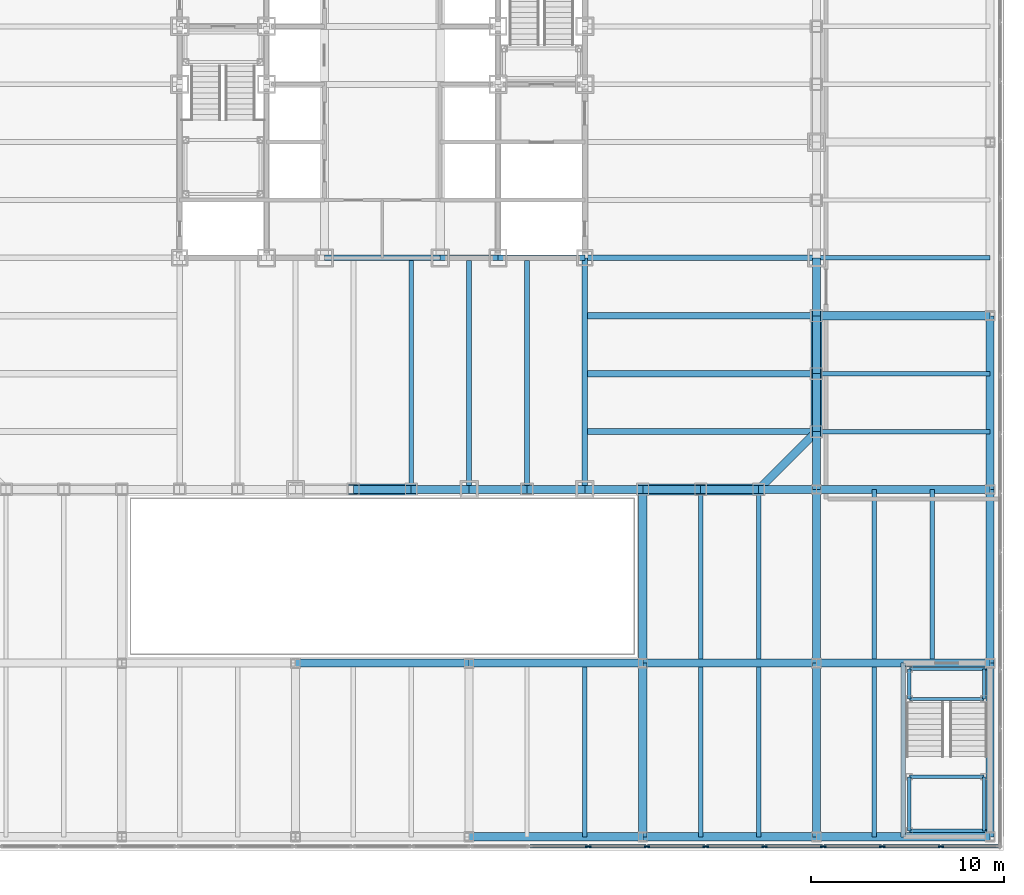
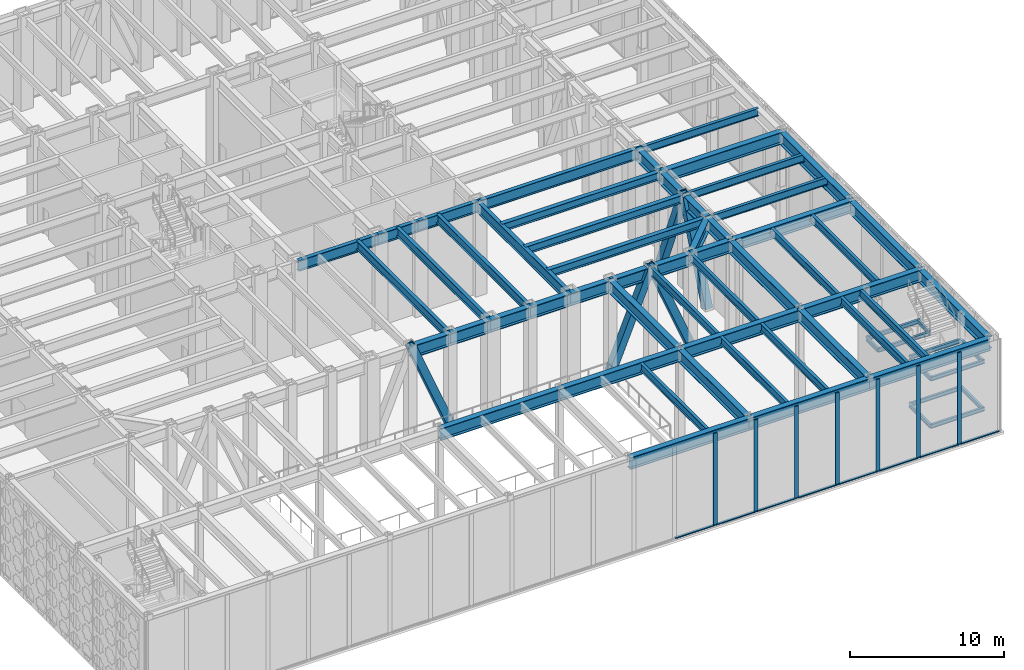
# One storey, part 5 of 34: 64 beams, 20 members, 1 element without a shape of its own.
"""IFC4 building model written with IfcOpenShell, lengths in metres."""

import ifcopenshell
import ifcopenshell.guid

model = None  # the IFC model being written
_history = None  # IfcOwnerHistory: only IFC2X3 demands one
_inside = {}  # id of a spatial element -> (the spatial element, [elements in it])
_under = {}  # id of a project, library or spatial element -> (it, [spatial elements below it])
_declared = {}  # id of a project -> (the project, [libraries it declares])
_typed = {}  # id of a type object -> (the type object, [elements of that type])
_made_of = {}  # id of a material, layer set ... -> (it, [elements and type objects made of it])


def new_model(schema):
    """Start an empty IFC model of exactly this schema.

    Asked for "IFC4X3", IfcOpenShell would pick the latest addendum, in which some entities
    have other attributes; the version numbers below select the first issue.
    IFC2X3 requires an IfcOwnerHistory on every rooted entity: one is made here for all.
    """
    global model, _history
    if schema == "IFC4X3":
        model = ifcopenshell.file(schema_version=(4, 3, 0, 0))
    else:
        model = ifcopenshell.file(schema=schema)
    _inside.clear()
    _under.clear()
    _declared.clear()
    _typed.clear()
    _made_of.clear()
    _history = None
    if model.schema == "IFC2X3":
        org = make("IfcOrganization", Name="unknown")
        user = make(
            "IfcPersonAndOrganization",
            ThePerson=make("IfcPerson", FamilyName="unknown"),
            TheOrganization=org,
        )
        app = make(
            "IfcApplication",
            ApplicationDeveloper=org,
            Version="unknown",
            ApplicationFullName="unknown",
            ApplicationIdentifier="unknown",
        )
        _history = make(
            "IfcOwnerHistory",
            OwningUser=user,
            OwningApplication=app,
            ChangeAction="ADDED",
            CreationDate=0,
        )
    return model


def make(cls, **values):
    """One entity of the class cls with the attributes given. An attribute that is None is left unset."""
    return model.create_entity(
        cls, **{name: value for name, value in values.items() if value is not None}
    )


def rooted(cls, **values):
    """An entity with a GlobalId (a new one), such as an element, a storey or a relation."""
    return make(cls, GlobalId=ifcopenshell.guid.new(), OwnerHistory=_history, **values)


def si_unit(unit_type, name, prefix=None):
    """IfcSIUnit, for example si_unit("LENGTHUNIT", "METRE", prefix="MILLI")."""
    return make("IfcSIUnit", UnitType=unit_type, Prefix=prefix, Name=name)


def assignment(units):
    """IfcUnitAssignment: the units of a project."""
    return None if units is None else make("IfcUnitAssignment", Units=units)


def point(xyz):
    """IfcCartesianPoint."""
    return None if xyz is None else make("IfcCartesianPoint", Coordinates=xyz)


def direction(xyz):
    """IfcDirection."""
    return None if xyz is None else make("IfcDirection", DirectionRatios=xyz)


def frame(location, z_axis=None, x_axis=None):
    """IfcAxis2Placement3D, a coordinate frame: its origin and axes. An axis left out is left unset."""
    return make(
        "IfcAxis2Placement3D",
        Location=point(location),
        Axis=direction(z_axis),
        RefDirection=direction(x_axis),
    )


def frame_2d(location, x_axis=None):
    """IfcAxis2Placement2D, a coordinate frame in the plane: its origin and x axis."""
    return make(
        "IfcAxis2Placement2D", Location=point(location), RefDirection=direction(x_axis)
    )


def origin():
    """The frame at (0, 0, 0) with its axes left unset."""
    return frame((0.0, 0.0, 0.0))


def origin_2d():
    """The frame at (0, 0) in the plane with its x axis left unset."""
    return frame_2d((0.0, 0.0))


def place(relative_to, where):
    """IfcLocalPlacement: puts the frame where relative to a parent placement (None: the world)."""
    return make(
        "IfcLocalPlacement", PlacementRelTo=relative_to, RelativePlacement=where
    )


def context(
    kind, dimensions, precision=None, world=None, true_north=None, identifier=None
):
    """IfcGeometricRepresentationContext, for example the 3D "Model" context."""
    return make(
        "IfcGeometricRepresentationContext",
        ContextIdentifier=identifier,
        ContextType=kind,
        CoordinateSpaceDimension=dimensions,
        Precision=precision,
        WorldCoordinateSystem=world,
        TrueNorth=true_north,
    )


def subcontext(parent, identifier, kind, view, scale=None):
    """IfcGeometricRepresentationSubContext, for example "Body" below "Model"."""
    return make(
        "IfcGeometricRepresentationSubContext",
        ContextIdentifier=identifier,
        ContextType=kind,
        ParentContext=parent,
        TargetScale=scale,
        TargetView=view,
    )


def project(units=None, contexts=None):
    """IfcProject with its units and contexts."""
    return rooted(
        "IfcProject",
        Name="project",
        RepresentationContexts=contexts,
        UnitsInContext=assignment(units),
    )


def spatial(cls, under=None, at=None, **own):
    """A site, building, storey or space (cls), placed at a placement, below another one or the project."""
    s = rooted(cls, ObjectPlacement=at, **own)
    if under is not None:
        _under.setdefault(under.id(), (under, []))[1].append(s)
    return s


def profile(cls, at=None, kind="AREA", **sizes):
    """A parametric profile (cls). Its sizes go by their IFC names, for example OverallWidth=200.0."""
    return make(cls, ProfileType=kind, Position=at, **sizes)


def rectangle(**sizes):
    """IfcRectangleProfileDef."""
    return profile("IfcRectangleProfileDef", **sizes)


def hollow_rectangle(**sizes):
    """IfcRectangleHollowProfileDef."""
    return profile("IfcRectangleHollowProfileDef", **sizes)


def i_section(**sizes):
    """IfcIShapeProfileDef."""
    return profile("IfcIShapeProfileDef", **sizes)


def extrude(swept, where, along, depth):
    """IfcExtrudedAreaSolid: the profile swept, set in the frame where, extruded along a direction by depth."""
    return make(
        "IfcExtrudedAreaSolid",
        SweptArea=swept,
        Position=where,
        ExtrudedDirection=direction(along),
        Depth=depth,
    )


def shape(context_of_items, identifier, shape_type, items):
    """IfcShapeRepresentation: the items that make up one representation, for example the "Body"."""
    return make(
        "IfcShapeRepresentation",
        ContextOfItems=context_of_items,
        RepresentationIdentifier=identifier,
        RepresentationType=shape_type,
        Items=items,
    )


def material(Name=None, Category=None):
    """IfcMaterial."""
    return make("IfcMaterial", Name=Name, Category=Category)


def layer(
    of_material, thickness, ventilated=None, Name=None, Category=None, Priority=None
):
    """IfcMaterialLayer: one layer of a wall or slab, of a material (None: an air gap)."""
    return make(
        "IfcMaterialLayer",
        Material=of_material,
        LayerThickness=thickness,
        IsVentilated=ventilated,
        Name=Name,
        Category=Category,
        Priority=Priority,
    )


def layer_set(layers, Name=None):
    """IfcMaterialLayerSet."""
    return make("IfcMaterialLayerSet", MaterialLayers=layers, LayerSetName=Name)


def material_profile(
    of_material, cross_section, Name=None, Category=None, Priority=None
):
    """IfcMaterialProfile: a cross section and its material."""
    return make(
        "IfcMaterialProfile",
        Name=Name,
        Material=of_material,
        Profile=cross_section,
        Priority=Priority,
        Category=Category,
    )


def profile_set(profiles, Name=None, composite=None):
    """IfcMaterialProfileSet."""
    return make(
        "IfcMaterialProfileSet",
        Name=Name,
        MaterialProfiles=profiles,
        CompositeProfile=composite,
    )


def made_of(thing, what):
    """Note that an element or type object is made of a material, layer set ...; save() writes the relation."""
    if what is not None:
        _made_of.setdefault(what.id(), (what, []))[1].append(thing)
    return thing


def type_object(cls, material=None, **own):
    """A type object (cls), such as IfcWallType, which elements share."""
    return made_of(rooted(cls, **own), material)


def element(
    cls,
    number,
    at=None,
    inside=None,
    cuts=None,
    type_object=None,
    material=None,
    context=None,
    identifier="Body",
    shape_type=None,
    held_by="IfcProductDefinitionShape",
    body=None,
    shapes=None,
    **own,
):
    """One element of the class cls, such as IfcWall. Its Tag is "e" and its number.

    at: its placement. inside: the storey or other place that contains it. cuts: it is an
    opening in that element (IfcRelVoidsElement). A single representation is given by context,
    identifier, shape_type and body (its items); several are given by shapes. held_by: the class
    of the entity that holds the representations. save() writes the other relations.
    """
    e = rooted(cls, Tag="e%d" % number, ObjectPlacement=at, **own)
    if body is not None:
        shapes = [shape(context, identifier, shape_type, body)]
    if shapes is not None:
        e.Representation = make(held_by, Representations=shapes)
    if inside is not None:
        _inside.setdefault(inside.id(), (inside, []))[1].append(e)
    if cuts is not None:
        rooted(
            "IfcRelVoidsElement", RelatingBuildingElement=cuts, RelatedOpeningElement=e
        )
    if type_object is not None:
        _typed.setdefault(type_object.id(), (type_object, []))[1].append(e)
    return made_of(e, material)


def aggregate(whole, parts):
    """IfcRelAggregates: a whole, such as a stair, and the parts it consists of."""
    return rooted("IfcRelAggregates", RelatingObject=whole, RelatedObjects=parts)


def save(model, path):
    """Write the relations noted so far, then the file.

    IfcRelAggregates (storeys below a building ...), IfcRelContainedInSpatialStructure (elements
    in a storey), IfcRelDefinesByType, IfcRelAssociatesMaterial and IfcRelDeclares: one each for
    every whole, place, type object, material and project.
    """
    for whole, parts in _under.values():
        aggregate(whole, parts)
    for where, things in _inside.values():
        rooted(
            "IfcRelContainedInSpatialStructure",
            RelatedElements=things,
            RelatingStructure=where,
        )
    for kind, things in _typed.values():
        rooted("IfcRelDefinesByType", RelatedObjects=things, RelatingType=kind)
    for what, things in _made_of.values():
        rooted("IfcRelAssociatesMaterial", RelatedObjects=things, RelatingMaterial=what)
    for by, libraries in _declared.values():
        rooted("IfcRelDeclares", RelatingContext=by, RelatedDefinitions=libraries)
    model.write(path)


model = new_model("IFC4")

# Units and contexts
model_context = context("Model", 3, precision=1e-05, world=origin(), true_north=direction((0.0, 1.0)))
body_context = subcontext(model_context, "Body", "Model", "MODEL_VIEW")
ifc_project = project(units=[si_unit("LENGTHUNIT", "METRE"), si_unit("AREAUNIT", "SQUARE_METRE"), si_unit("VOLUMEUNIT", "CUBIC_METRE"), si_unit("PLANEANGLEUNIT", "RADIAN"), si_unit("MASSUNIT", "GRAM", prefix="KILO")], contexts=[model_context])

# Site, building, storey
site_placement = place(None, origin())
site = spatial("IfcSite", under=ifc_project, at=site_placement, CompositionType="ELEMENT")
building_placement = place(site_placement, origin())
building = spatial("IfcBuilding", under=site, at=building_placement, Name="Chuquiago Exchange Tower", CompositionType="ELEMENT")
storey_placement = place(building_placement, frame((0.0, 0.0, 6.0)))
storey = spatial("IfcBuildingStorey", under=building, at=storey_placement, Name="L01", CompositionType="ELEMENT", Elevation=6.0)

# Beams
ifc_material_1 = material(Name="Steel ASTM A992", Category="steel")
ifc_material_profile_1 = material_profile(ifc_material_1, i_section(OverallWidth=0.2919921875, OverallDepth=0.8583984375, WebThickness=0.01708984375, FlangeThickness=0.031005859375, at=origin_2d()), Name="W33X169")
ifc_profile_set_1 = profile_set([ifc_material_profile_1], Name="Steel ASTM A992")
beam_type_1 = type_object("IfcBeamType", Name="B3 W33X169", PredefinedType="BEAM", material=ifc_profile_set_1)
beam_1_placement = place(storey_placement, frame((19.5, 12.0, 6.87060546875), z_axis=(1.0, 0.0, 0.0), x_axis=(0.0, 1.0, 0.0)))
element("IfcBeam", 1, at=beam_1_placement, inside=storey, type_object=beam_type_1, Name="CB-L02-19.5_12-25.5_12", PredefinedType="BEAM", context=body_context, shape_type="SweptSolid", body=[
    extrude(i_section(OverallWidth=0.2919921875, OverallDepth=0.8583984375, WebThickness=0.01708984375, FlangeThickness=0.031005859375, at=origin_2d()), origin(), (0.0, 0.0, 1.0), 6.0),
])
beam_2_placement = place(storey_placement, frame((25.5, 12.0, 6.87060546875), z_axis=(1.0, 0.0, 0.0), x_axis=(0.0, 1.0, 0.0)))
element("IfcBeam", 2, at=beam_2_placement, inside=storey, type_object=beam_type_1, Name="CB-L02-25.5_12-28.5_12", PredefinedType="BEAM", context=body_context, shape_type="SweptSolid", body=[
    extrude(i_section(OverallWidth=0.2919921875, OverallDepth=0.8583984375, WebThickness=0.01708984375, FlangeThickness=0.031005859375, at=origin_2d()), origin(), (0.0, 0.0, 1.0), 3.0),
])
beam_3_placement = place(storey_placement, frame((28.5, 12.0, 6.87060546875), z_axis=(1.0, 0.0, 0.0), x_axis=(0.0, 1.0, 0.0)))
element("IfcBeam", 3, at=beam_3_placement, inside=storey, type_object=beam_type_1, Name="CB-L02-28.5_12-33_12", PredefinedType="BEAM", context=body_context, shape_type="SweptSolid", body=[
    extrude(i_section(OverallWidth=0.2919921875, OverallDepth=0.8583984375, WebThickness=0.01708984375, FlangeThickness=0.031005859375, at=origin_2d()), origin(), (0.0, 0.0, 1.0), 4.5),
])
ifc_material_2 = material(Name="Steel ASTM A992", Category="steel")
ifc_material_profile_2 = material_profile(ifc_material_2, i_section(OverallWidth=0.256591796875, OverallDepth=0.693359375, WebThickness=0.014404296875, FlangeThickness=0.023681640625, at=origin_2d()), Name="W27X114")
ifc_profile_set_2 = profile_set([ifc_material_profile_2], Name="Steel ASTM A992")
beam_type_2 = type_object("IfcBeamType", Name="B4 W27X114", PredefinedType="BEAM", material=ifc_profile_set_2)
for number, where, z_axis, x_axis, name in (
    (4, (24.0, 12.0, 6.953369140625), (0.0, -1.0, 0.0), (1.0, 0.0, 0.0), "FB-L02-infill-24_12-24_-0-0"),
    (5, (27.0, 12.0, 6.953369140625), (0.0, -1.0, 0.0), (1.0, 0.0, 0.0), "FB-L02-infill-27_12-27_-0-0"),
    (6, (30.0, 12.0, 6.953369140625), (0.0, -1.0, 0.0), (1.0, 0.0, 0.0), "FB-L02-infill-30_12-30_-0-0"),
):
    element("IfcBeam", number, at=place(storey_placement, frame(where, z_axis=z_axis, x_axis=x_axis)), inside=storey, type_object=beam_type_2, Name=name, PredefinedType="BEAM", context=body_context, shape_type="SweptSolid", body=[
        extrude(i_section(OverallWidth=0.256591796875, OverallDepth=0.693359375, WebThickness=0.014404296875, FlangeThickness=0.023681640625, at=origin_2d()), origin(), (0.0, 0.0, 1.0), 12.0),
    ])
ifc_material_3 = material(Name="Steel ASTM A992", Category="steel")
ifc_material_profile_3 = material_profile(ifc_material_3, i_section(OverallWidth=0.3251953125, OverallDepth=0.6171875, WebThickness=0.013916015625, FlangeThickness=0.021484375, at=origin_2d()), Name="W24X117")
ifc_profile_set_3 = profile_set([ifc_material_profile_3], Name="Steel ASTM A992")
beam_type_3 = type_object("IfcBeamType", Name="B5 W24X117", PredefinedType="BEAM", material=ifc_profile_set_3)
for number, where, z_axis, x_axis, name in (
    (7, (33.0, 3.0, 6.991455078125), (1.0, 0.0, 0.0), (0.0, 1.0, 0.0), "FB-L02-corner-33_3-45_3-0"),
    (8, (33.0, 6.0, 6.991455078125), (1.0, 0.0, 0.0), (0.0, 1.0, 0.0), "FB-L02-corner-33_6-45_6-0"),
    (9, (33.0, 9.0, 6.991455078125), (1.0, 0.0, 0.0), (0.0, 1.0, 0.0), "FB-L02-corner-33_9-45_9-0"),
):
    element("IfcBeam", number, at=place(storey_placement, frame(where, z_axis=z_axis, x_axis=x_axis)), inside=storey, type_object=beam_type_3, Name=name, PredefinedType="BEAM", context=body_context, shape_type="SweptSolid", body=[
        extrude(i_section(OverallWidth=0.3251953125, OverallDepth=0.6171875, WebThickness=0.013916015625, FlangeThickness=0.021484375, at=origin_2d()), origin(), (0.0, 0.0, 1.0), 12.0),
    ])

# Curtain wall, members
ifc_material_4 = material(Name="Aluminium curtain wall system", Category="aluminium")
ifc_layer = layer(ifc_material_4, 0.300048828125)
ifc_layer_set = layer_set([ifc_layer], Name="CW4 podium curtain wall")
curtain_wall_type = type_object("IfcCurtainWallType", Name="CW4 podium curtain wall", PredefinedType="NOTDEFINED", material=ifc_layer_set)
curtain_wall_placement = place(storey_placement, origin())
curtain_wall = element("IfcCurtainWall", 10, at=curtain_wall_placement, inside=storey, type_object=curtain_wall_type, Name="CW4 curtain wall L01", PredefinedType="NOTDEFINED")
ifc_material_5 = material(Name="Aluminium mullion, pale anodised", Category="aluminium")
ifc_material_profile_4 = material_profile(ifc_material_5, rectangle(XDim=0.074951171875, YDim=0.300048828125, at=origin_2d()), Name="AL 75x300")
ifc_profile_set_4 = profile_set([ifc_material_profile_4], Name="Aluminium mullion, pale anodised")
member_type_1 = type_object("IfcMemberType", Name="CW4-M mullion 75x300", PredefinedType="MULLION", material=ifc_profile_set_4)
member_1_placement = place(storey_placement, frame((33.166748046875, -18.5, 0.0), z_axis=(0.0, 0.0, 1.0), x_axis=(0.0, 1.0, 0.0)))
member_1 = element("IfcMember", 11, at=member_1_placement, type_object=member_type_1, Name="CW4 mullion 15", PredefinedType="MULLION", context=body_context, shape_type="SweptSolid", body=[
    extrude(rectangle(XDim=0.074951171875, YDim=0.300048828125, at=origin_2d()), origin(), (0.0, 0.0, 1.0), 7.300048828125),
])
member_2_placement = place(storey_placement, frame((36.21435546875, -18.5, 0.0), z_axis=(0.0, 0.0, 1.0), x_axis=(0.0, 1.0, 0.0)))
member_2 = element("IfcMember", 12, at=member_2_placement, type_object=member_type_1, Name="CW4 mullion 16", PredefinedType="MULLION", context=body_context, shape_type="SweptSolid", body=[
    extrude(rectangle(XDim=0.074951171875, YDim=0.300048828125, at=origin_2d()), origin(), (0.0, 0.0, 1.0), 7.300048828125),
])
member_3_placement = place(storey_placement, frame((39.261962890625, -18.5, 0.0), z_axis=(0.0, 0.0, 1.0), x_axis=(0.0, 1.0, 0.0)))
member_3 = element("IfcMember", 13, at=member_3_placement, type_object=member_type_1, Name="CW4 mullion 17", PredefinedType="MULLION", context=body_context, shape_type="SweptSolid", body=[
    extrude(rectangle(XDim=0.074951171875, YDim=0.300048828125, at=origin_2d()), origin(), (0.0, 0.0, 1.0), 7.300048828125),
])
member_4_placement = place(storey_placement, frame((42.3095703125, -18.5, 0.0), z_axis=(0.0, 0.0, 1.0), x_axis=(0.0, 1.0, 0.0)))
member_4 = element("IfcMember", 14, at=member_4_placement, type_object=member_type_1, Name="CW4 mullion 18", PredefinedType="MULLION", context=body_context, shape_type="SweptSolid", body=[
    extrude(rectangle(XDim=0.074951171875, YDim=0.300048828125, at=origin_2d()), origin(), (0.0, 0.0, 1.0), 7.300048828125),
])
member_5_placement = place(storey_placement, frame((45.357177734375, -18.5, 0.0), z_axis=(0.0, 0.0, 1.0), x_axis=(0.0, 1.0, 0.0)))
member_5 = element("IfcMember", 15, at=member_5_placement, type_object=member_type_1, Name="CW4 mullion 19", PredefinedType="MULLION", context=body_context, shape_type="SweptSolid", body=[
    extrude(rectangle(XDim=0.074951171875, YDim=0.300048828125, at=origin_2d()), origin(), (0.0, 0.0, 1.0), 7.300048828125),
])
member_6_placement = place(storey_placement, frame((48.40478515625, -18.5, 0.0), z_axis=(0.0, 0.0, 1.0), x_axis=(0.0, 1.0, 0.0)))
member_6 = element("IfcMember", 16, at=member_6_placement, type_object=member_type_1, Name="CW4 mullion 20", PredefinedType="MULLION", context=body_context, shape_type="SweptSolid", body=[
    extrude(rectangle(XDim=0.074951171875, YDim=0.300048828125, at=origin_2d()), origin(), (0.0, 0.0, 1.0), 7.300048828125),
])
member_7_placement = place(storey_placement, frame((51.452392578125, -18.5, 0.0), z_axis=(0.0, 0.0, 1.0), x_axis=(0.0, 1.0, 0.0)))
member_7 = element("IfcMember", 17, at=member_7_placement, type_object=member_type_1, Name="CW4 mullion 21", PredefinedType="MULLION", context=body_context, shape_type="SweptSolid", body=[
    extrude(rectangle(XDim=0.074951171875, YDim=0.300048828125, at=origin_2d()), origin(), (0.0, 0.0, 1.0), 7.300048828125),
])
ifc_material_6 = material(Name="Aluminium transom, pale anodised", Category="aluminium")
ifc_material_profile_5 = material_profile(ifc_material_6, rectangle(XDim=0.179931640625, YDim=0.074951171875, at=origin_2d()), Name="AL 180x75")
ifc_profile_set_5 = profile_set([ifc_material_profile_5], Name="Aluminium transom, pale anodised")
member_type_2 = type_object("IfcMemberType", Name="CW4-T transom 75x180", PredefinedType="MULLION", material=ifc_profile_set_5)
member_8_placement = place(storey_placement, frame((30.156494140625, -18.5, 0.03759765625), z_axis=(1.0, 0.0, 0.0), x_axis=(0.0, 1.0, 0.0)))
member_8 = element("IfcMember", 18, at=member_8_placement, type_object=member_type_2, Name="CW4 transom 14.1", PredefinedType="MULLION", context=body_context, shape_type="SweptSolid", body=[
    extrude(rectangle(XDim=0.179931640625, YDim=0.074951171875, at=origin_2d()), origin(), (0.0, 0.0, 1.0), 2.97265625),
])
member_9_placement = place(storey_placement, frame((33.2041015625, -18.5, 0.03759765625), z_axis=(1.0, 0.0, 0.0), x_axis=(0.0, 1.0, 0.0)))
member_9 = element("IfcMember", 19, at=member_9_placement, type_object=member_type_2, Name="CW4 transom 15.1", PredefinedType="MULLION", context=body_context, shape_type="SweptSolid", body=[
    extrude(rectangle(XDim=0.179931640625, YDim=0.074951171875, at=origin_2d()), origin(), (0.0, 0.0, 1.0), 2.97265625),
])
member_10_placement = place(storey_placement, frame((36.251708984375, -18.5, 0.03759765625), z_axis=(1.0, 0.0, 0.0), x_axis=(0.0, 1.0, 0.0)))
member_10 = element("IfcMember", 20, at=member_10_placement, type_object=member_type_2, Name="CW4 transom 16.1", PredefinedType="MULLION", context=body_context, shape_type="SweptSolid", body=[
    extrude(rectangle(XDim=0.179931640625, YDim=0.074951171875, at=origin_2d()), origin(), (0.0, 0.0, 1.0), 2.97265625),
])
member_11_placement = place(storey_placement, frame((39.29931640625, -18.5, 0.03759765625), z_axis=(1.0, 0.0, 0.0), x_axis=(0.0, 1.0, 0.0)))
member_11 = element("IfcMember", 21, at=member_11_placement, type_object=member_type_2, Name="CW4 transom 17.1", PredefinedType="MULLION", context=body_context, shape_type="SweptSolid", body=[
    extrude(rectangle(XDim=0.179931640625, YDim=0.074951171875, at=origin_2d()), origin(), (0.0, 0.0, 1.0), 2.97265625),
])
member_12_placement = place(storey_placement, frame((42.346923828125, -18.5, 0.03759765625), z_axis=(1.0, 0.0, 0.0), x_axis=(0.0, 1.0, 0.0)))
member_12 = element("IfcMember", 22, at=member_12_placement, type_object=member_type_2, Name="CW4 transom 18.1", PredefinedType="MULLION", context=body_context, shape_type="SweptSolid", body=[
    extrude(rectangle(XDim=0.179931640625, YDim=0.074951171875, at=origin_2d()), origin(), (0.0, 0.0, 1.0), 2.97265625),
])
member_13_placement = place(storey_placement, frame((45.39453125, -18.5, 0.03759765625), z_axis=(1.0, 0.0, 0.0), x_axis=(0.0, 1.0, 0.0)))
member_13 = element("IfcMember", 23, at=member_13_placement, type_object=member_type_2, Name="CW4 transom 19.1", PredefinedType="MULLION", context=body_context, shape_type="SweptSolid", body=[
    extrude(rectangle(XDim=0.179931640625, YDim=0.074951171875, at=origin_2d()), origin(), (0.0, 0.0, 1.0), 2.97265625),
])
member_14_placement = place(storey_placement, frame((48.4423828125, -18.5, 0.03759765625), z_axis=(1.0, 0.0, 0.0), x_axis=(0.0, 1.0, 0.0)))
member_14 = element("IfcMember", 24, at=member_14_placement, type_object=member_type_2, Name="CW4 transom 20.1", PredefinedType="MULLION", context=body_context, shape_type="SweptSolid", body=[
    extrude(rectangle(XDim=0.179931640625, YDim=0.074951171875, at=origin_2d()), origin(), (0.0, 0.0, 1.0), 2.972412109375),
])
member_15_placement = place(storey_placement, frame((51.489990234375, -18.5, 0.03759765625), z_axis=(1.0, 0.0, 0.0), x_axis=(0.0, 1.0, 0.0)))
member_15 = element("IfcMember", 25, at=member_15_placement, type_object=member_type_2, Name="CW4 transom 21.1", PredefinedType="MULLION", context=body_context, shape_type="SweptSolid", body=[
    extrude(rectangle(XDim=0.179931640625, YDim=0.074951171875, at=origin_2d()), origin(), (0.0, 0.0, 1.0), 2.93505859375),
])
aggregate(curtain_wall, [member_1, member_2, member_3, member_4, member_5, member_6, member_7, member_8, member_9, member_10, member_11, member_12, member_13, member_14, member_15])

# Beams
ifc_material_7 = material(Name="Steel ASTM A992", Category="steel")
ifc_material_profile_6 = material_profile(ifc_material_7, i_section(OverallWidth=0.2919921875, OverallDepth=0.8583984375, WebThickness=0.01708984375, FlangeThickness=0.031005859375, at=origin_2d()), Name="W33X169")
ifc_profile_set_6 = profile_set([ifc_material_profile_6], Name="Steel ASTM A992")
beam_type_4 = type_object("IfcBeamType", Name="G2 W33X169", PredefinedType="BEAM", material=ifc_profile_set_6)
for number, where, z_axis, x_axis, name in (
    (26, (33.0, 12.0, 6.87060546875), (0.0, -1.0, 0.0), (1.0, 0.0, 0.0), "FB-L02-girder-33_12-33_-0-0"),
    (27, (33.0, 12.0, 6.87060546875), (1.0, 0.0, 0.0), (0.0, 1.0, 0.0), "FB-L02-girder-33_12-45_12-0"),
):
    element("IfcBeam", number, at=place(storey_placement, frame(where, z_axis=z_axis, x_axis=x_axis)), inside=storey, type_object=beam_type_4, Name=name, PredefinedType="BEAM", context=body_context, shape_type="SweptSolid", body=[
        extrude(i_section(OverallWidth=0.2919921875, OverallDepth=0.8583984375, WebThickness=0.01708984375, FlangeThickness=0.031005859375, at=origin_2d()), origin(), (0.0, 0.0, 1.0), 12.0),
    ])
ifc_material_8 = material(Name="Steel ASTM A992", Category="steel")
ifc_material_profile_7 = material_profile(ifc_material_8, i_section(OverallWidth=0.164794921875, OverallDepth=0.309814453125, WebThickness=0.005859375, FlangeThickness=0.009765625, at=origin_2d()), Name="W12X26")
ifc_profile_set_7 = profile_set([ifc_material_profile_7], Name="Steel ASTM A992")
beam_type_5 = type_object("IfcBeamType", Name="LS1 W12X26", PredefinedType="BEAM", material=ifc_profile_set_7)
for number, where, z_axis, x_axis, name in (
    (28, (49.81005859375, -17.68994140625, 1.52001953125), (0.0, 1.0, 0.0), (-1.0, 0.0, 0.0), "Stair PS2 L01 landing 1 stringer"),
    (29, (53.68994140625, -17.68994140625, 1.52001953125), (0.0, 1.0, 0.0), (-1.0, 0.0, 0.0), "Stair PS2 L01 landing 1 stringer"),
):
    element("IfcBeam", number, at=place(storey_placement, frame(where, z_axis=z_axis, x_axis=x_axis)), inside=storey, type_object=beam_type_5, Name=name, PredefinedType="BEAM", context=body_context, shape_type="SweptSolid", body=[
        extrude(i_section(OverallWidth=0.164794921875, OverallDepth=0.309814453125, WebThickness=0.005859375, FlangeThickness=0.009765625, at=origin_2d()), origin(), (0.0, 0.0, 1.0), 2.800048828125),
    ])
for number, where, z_axis, x_axis, name in (
    (30, (49.81005859375, -10.85009765625, 3.39501953125), (0.0, 1.0, 0.0), (-1.0, 0.0, 0.0), "Stair PS2 L01 landing 2 stringer"),
    (31, (53.68994140625, -10.85009765625, 3.39501953125), (0.0, 1.0, 0.0), (-1.0, 0.0, 0.0), "Stair PS2 L01 landing 2 stringer"),
):
    element("IfcBeam", number, at=place(storey_placement, frame(where, z_axis=z_axis, x_axis=x_axis)), inside=storey, type_object=beam_type_5, Name=name, PredefinedType="BEAM", context=body_context, shape_type="SweptSolid", body=[
        extrude(i_section(OverallWidth=0.164794921875, OverallDepth=0.309814453125, WebThickness=0.005859375, FlangeThickness=0.009765625, at=origin_2d()), origin(), (0.0, 0.0, 1.0), 1.5400390625),
    ])
for number, where, z_axis, x_axis, name in (
    (32, (49.81005859375, -17.68994140625, 5.27001953125), (0.0, 1.0, 0.0), (-1.0, 0.0, 0.0), "Stair PS2 L01 landing 3 stringer"),
    (33, (53.68994140625, -17.68994140625, 5.27001953125), (0.0, 1.0, 0.0), (-1.0, 0.0, 0.0), "Stair PS2 L01 landing 3 stringer"),
):
    element("IfcBeam", number, at=place(storey_placement, frame(where, z_axis=z_axis, x_axis=x_axis)), inside=storey, type_object=beam_type_5, Name=name, PredefinedType="BEAM", context=body_context, shape_type="SweptSolid", body=[
        extrude(i_section(OverallWidth=0.164794921875, OverallDepth=0.309814453125, WebThickness=0.005859375, FlangeThickness=0.009765625, at=origin_2d()), origin(), (0.0, 0.0, 1.0), 2.800048828125),
    ])
ifc_material_9 = material(Name="Steel ASTM A992", Category="steel")
ifc_material_profile_8 = material_profile(ifc_material_9, i_section(OverallWidth=0.164794921875, OverallDepth=0.309814453125, WebThickness=0.005859375, FlangeThickness=0.009765625, at=origin_2d()), Name="W12X26")
ifc_profile_set_8 = profile_set([ifc_material_profile_8], Name="Steel ASTM A992")
beam_type_6 = type_object("IfcBeamType", Name="LT1 W12X26", PredefinedType="BEAM", material=ifc_profile_set_8)
beam_4_placement = place(storey_placement, frame((49.81005859375, -17.68994140625, 1.52001953125), z_axis=(1.0, 0.0, 0.0), x_axis=(0.0, 1.0, 0.0)))
element("IfcBeam", 34, at=beam_4_placement, inside=storey, type_object=beam_type_6, Name="Stair PS2 L01 landing 1 trimmer", PredefinedType="BEAM", context=body_context, shape_type="SweptSolid", body=[
    extrude(i_section(OverallWidth=0.164794921875, OverallDepth=0.309814453125, WebThickness=0.005859375, FlangeThickness=0.009765625, at=origin_2d()), origin(), (0.0, 0.0, 1.0), 4.004150390625),
])
for number, where, z_axis, x_axis, name in (
    (35, (49.81005859375, -14.889892578125, 1.52001953125), (1.0, 0.0, 0.0), (0.0, 1.0, 0.0), "Stair PS2 L01 landing 1 trimmer"),
    (36, (49.81005859375, -10.85009765625, 3.39501953125), (1.0, 0.0, 0.0), (0.0, 1.0, 0.0), "Stair PS2 L01 landing 2 trimmer"),
):
    element("IfcBeam", number, at=place(storey_placement, frame(where, z_axis=z_axis, x_axis=x_axis)), inside=storey, type_object=beam_type_6, Name=name, PredefinedType="BEAM", context=body_context, shape_type="SweptSolid", body=[
        extrude(i_section(OverallWidth=0.164794921875, OverallDepth=0.309814453125, WebThickness=0.005859375, FlangeThickness=0.009765625, at=origin_2d()), origin(), (0.0, 0.0, 1.0), 3.8798828125),
    ])
for number, where, z_axis, x_axis, name in (
    (37, (49.81005859375, -9.31005859375, 3.39501953125), (1.0, 0.0, 0.0), (0.0, 1.0, 0.0), "Stair PS2 L01 landing 2 trimmer"),
    (38, (49.81005859375, -17.68994140625, 5.27001953125), (1.0, 0.0, 0.0), (0.0, 1.0, 0.0), "Stair PS2 L01 landing 3 trimmer"),
):
    element("IfcBeam", number, at=place(storey_placement, frame(where, z_axis=z_axis, x_axis=x_axis)), inside=storey, type_object=beam_type_6, Name=name, PredefinedType="BEAM", context=body_context, shape_type="SweptSolid", body=[
        extrude(i_section(OverallWidth=0.164794921875, OverallDepth=0.309814453125, WebThickness=0.005859375, FlangeThickness=0.009765625, at=origin_2d()), origin(), (0.0, 0.0, 1.0), 4.004150390625),
    ])
beam_5_placement = place(storey_placement, frame((49.81005859375, -14.889892578125, 5.27001953125), z_axis=(1.0, 0.0, 0.0), x_axis=(0.0, 1.0, 0.0)))
element("IfcBeam", 39, at=beam_5_placement, inside=storey, type_object=beam_type_6, Name="Stair PS2 L01 landing 3 trimmer", PredefinedType="BEAM", context=body_context, shape_type="SweptSolid", body=[
    extrude(i_section(OverallWidth=0.164794921875, OverallDepth=0.309814453125, WebThickness=0.005859375, FlangeThickness=0.009765625, at=origin_2d()), origin(), (0.0, 0.0, 1.0), 3.8798828125),
])

# Members
ifc_material_10 = material(Name="Steel ASTM A572 Grade 50", Category="steel")
ifc_material_profile_9 = material_profile(ifc_material_10, hollow_rectangle(XDim=0.550048828125, YDim=0.550048828125, WallThickness=0.044921875, at=origin_2d()), Name="BOX550X550X45")
ifc_profile_set_9 = profile_set([ifc_material_profile_9], Name="Steel ASTM A572 Grade 50")
member_type_3 = type_object("IfcMemberType", Name="MB1 BOX550X550X45", PredefinedType="BRACE", material=ifc_profile_set_9)
for number, where, z_axis, x_axis, name in (
    (40, (24.0, 0.0, 0.0), (-0.378334309689, 0.0, 0.925669028385), (0.0, -1.0, 0.0), "Mega diagonal L01 S face"),
    (41, (36.0, 0.0, 0.0), (0.378334309689, 0.0, 0.925669028385), (0.0, 1.0, 0.0), "Mega diagonal L01 S face"),
    (42, (42.0, 0.0, 0.0), (-0.378334309689, 0.0, 0.925669028385), (0.0, -1.0, 0.0), "Mega diagonal L01 S face"),
    (43, (45.0, 3.0, 0.0), (0.0, 0.378334309689, 0.925669028385), (-1.0, 0.0, 0.0), "Mega diagonal L01 E face"),
    (44, (45.0, 9.0, 0.0), (0.0, -0.378334309689, 0.925669028385), (1.0, 0.0, 0.0), "Mega diagonal L01 E face"),
):
    element("IfcMember", number, at=place(storey_placement, frame(where, z_axis=z_axis, x_axis=x_axis)), inside=storey, type_object=member_type_3, Name=name, PredefinedType="BRACE", context=body_context, shape_type="SweptSolid", body=[
        extrude(hollow_rectangle(XDim=0.550048828125, YDim=0.550048828125, WallThickness=0.044921875, at=origin_2d()), origin(), (0.0, 0.0, 1.0), 7.929443359375),
    ])

# Beams
ifc_material_11 = material(Name="Steel ASTM A992", Category="steel")
ifc_material_profile_10 = material_profile(ifc_material_11, i_section(OverallWidth=0.227783203125, OverallDepth=0.60205078125, WebThickness=0.010498046875, FlangeThickness=0.014892578125, at=origin_2d()), Name="W24X68")
ifc_profile_set_10 = profile_set([ifc_material_profile_10], Name="Steel ASTM A992")
beam_type_7 = type_object("IfcBeamType", Name="PB1 W24X68", PredefinedType="BEAM", material=ifc_profile_set_10)
beam_6_placement = place(storey_placement, frame((49.5, -18.0, 6.9990234375), z_axis=(0.0, 1.0, 0.0), x_axis=(-1.0, 0.0, 0.0)))
element("IfcBeam", 45, at=beam_6_placement, inside=storey, type_object=beam_type_7, Name="PT-L02-PS2", PredefinedType="BEAM", context=body_context, shape_type="SweptSolid", body=[
    extrude(i_section(OverallWidth=0.227783203125, OverallDepth=0.60205078125, WebThickness=0.010498046875, FlangeThickness=0.014892578125, at=origin_2d()), origin(), (0.0, 0.0, 1.0), 9.0),
])
for number, where, z_axis, x_axis, name in (
    (46, (33.0, -18.0, 6.9990234375), (0.0, 1.0, 0.0), (-1.0, 0.0, 0.0), "PB-L02-33_-18"),
    (47, (39.0, -18.0, 6.9990234375), (0.0, 1.0, 0.0), (-1.0, 0.0, 0.0), "PB-L02-39_-18"),
    (48, (39.0, -8.787841796875, 6.9990234375), (0.0, 1.0, 0.0), (-1.0, 0.0, 0.0), "PB-L02-39_-9"),
    (49, (42.0, -18.0, 6.9990234375), (0.0, 1.0, 0.0), (-1.0, 0.0, 0.0), "PB-L02-42_-18"),
    (50, (42.0, -8.787841796875, 6.9990234375), (0.0, 1.0, 0.0), (-1.0, 0.0, 0.0), "PB-L02-42_-9"),
    (51, (48.0, -18.0, 6.9990234375), (0.0, 1.0, 0.0), (-1.0, 0.0, 0.0), "PB-L02-48_-18"),
    (52, (48.0, -8.787841796875, 6.9990234375), (0.0, 1.0, 0.0), (-1.0, 0.0, 0.0), "PB-L02-48_-9"),
    (53, (51.0, -8.787841796875, 6.9990234375), (0.0, 1.0, 0.0), (-1.0, 0.0, 0.0), "PB-L02-51_-9"),
):
    element("IfcBeam", number, at=place(storey_placement, frame(where, z_axis=z_axis, x_axis=x_axis)), inside=storey, type_object=beam_type_7, Name=name, PredefinedType="BEAM", context=body_context, shape_type="SweptSolid", body=[
        extrude(i_section(OverallWidth=0.227783203125, OverallDepth=0.60205078125, WebThickness=0.010498046875, FlangeThickness=0.014892578125, at=origin_2d()), origin(), (0.0, 0.0, 1.0), 8.787841796875),
    ])
for number, where, z_axis, x_axis, name in (
    (54, (45.0, 3.0, 6.9990234375), (1.0, 0.0, 0.0), (0.0, 1.0, 0.0), "PB-L02-45_3"),
    (55, (45.0, 6.0, 6.9990234375), (1.0, 0.0, 0.0), (0.0, 1.0, 0.0), "PB-L02-45_6"),
    (56, (45.0, 12.0, 6.9990234375), (1.0, 0.0, 0.0), (0.0, 1.0, 0.0), "PB-L02-45_12"),
):
    element("IfcBeam", number, at=place(storey_placement, frame(where, z_axis=z_axis, x_axis=x_axis)), inside=storey, type_object=beam_type_7, Name=name, PredefinedType="BEAM", context=body_context, shape_type="SweptSolid", body=[
        extrude(i_section(OverallWidth=0.227783203125, OverallDepth=0.60205078125, WebThickness=0.010498046875, FlangeThickness=0.014892578125, at=origin_2d()), origin(), (0.0, 0.0, 1.0), 9.0),
    ])
ifc_material_12 = material(Name="Steel ASTM A992", Category="steel")
ifc_material_profile_11 = material_profile(ifc_material_12, i_section(OverallWidth=0.424072265625, OverallDepth=0.947509765625, WebThickness=0.02392578125, FlangeThickness=0.042724609375, at=origin_2d()), Name="W36X302")
ifc_profile_set_11 = profile_set([ifc_material_profile_11], Name="Steel ASTM A992")
beam_type_8 = type_object("IfcBeamType", Name="PG1 W36X302", PredefinedType="BEAM", material=ifc_profile_set_11)
for number, where, z_axis, x_axis, name in (
    (57, (36.0, -18.0, 6.826416015625), (0.0, 1.0, 0.0), (-1.0, 0.0, 0.0), "PG-L02-36_-18-36_-9"),
    (58, (36.0, -9.0, 6.826416015625), (0.0, 1.0, 0.0), (-1.0, 0.0, 0.0), "PG-L02-36_-9-36_0"),
    (59, (45.0, -18.0, 6.826416015625), (0.0, 1.0, 0.0), (-1.0, 0.0, 0.0), "PG-L02-45_-18-45_-9"),
    (60, (45.0, -9.0, 6.826416015625), (0.0, 1.0, 0.0), (-1.0, 0.0, 0.0), "PG-L02-45_-9-45_0"),
):
    element("IfcBeam", number, at=place(storey_placement, frame(where, z_axis=z_axis, x_axis=x_axis)), inside=storey, type_object=beam_type_8, Name=name, PredefinedType="BEAM", context=body_context, shape_type="SweptSolid", body=[
        extrude(i_section(OverallWidth=0.424072265625, OverallDepth=0.947509765625, WebThickness=0.02392578125, FlangeThickness=0.042724609375, at=origin_2d()), origin(), (0.0, 0.0, 1.0), 9.0),
    ])
beam_7_placement = place(storey_placement, frame((45.0, 0.0, 6.826416015625), z_axis=(0.0, 1.0, 0.0), x_axis=(-1.0, 0.0, 0.0)))
element("IfcBeam", 61, at=beam_7_placement, inside=storey, type_object=beam_type_8, Name="PG-L02-45_0-45_3", PredefinedType="BEAM", context=body_context, shape_type="SweptSolid", body=[
    extrude(i_section(OverallWidth=0.424072265625, OverallDepth=0.947509765625, WebThickness=0.02392578125, FlangeThickness=0.042724609375, at=origin_2d()), origin(), (0.0, 0.0, 1.0), 3.0),
])
for number, where, z_axis, x_axis, name in (
    (62, (54.0, -18.0, 6.826416015625), (0.0, 1.0, 0.0), (-1.0, 0.0, 0.0), "PG-L02-54_-18-54_-9"),
    (63, (54.0, -9.0, 6.826416015625), (0.0, 1.0, 0.0), (-1.0, 0.0, 0.0), "PG-L02-54_-9-54_0"),
    (64, (54.0, 0.0, 6.826416015625), (0.0, 1.0, 0.0), (-1.0, 0.0, 0.0), "PG-L02-54_0-54_9"),
    (65, (27.0, -18.0, 6.826416015625), (1.0, 0.0, 0.0), (0.0, 1.0, 0.0), "PG-L02-27_-18-36_-18"),
    (66, (36.0, -18.0, 6.826416015625), (1.0, 0.0, 0.0), (0.0, 1.0, 0.0), "PG-L02-36_-18-45_-18"),
    (67, (45.0, -18.0, 6.826416015625), (1.0, 0.0, 0.0), (0.0, 1.0, 0.0), "PG-L02-45_-18-54_-18"),
    (68, (18.0, -9.0, 6.826416015625), (1.0, 0.0, 0.0), (0.0, 1.0, 0.0), "PG-L02-18_-9-27_-9"),
    (69, (27.0, -9.0, 6.826416015625), (1.0, 0.0, 0.0), (0.0, 1.0, 0.0), "PG-L02-27_-9-36_-9"),
    (70, (36.0, -9.0, 6.826416015625), (1.0, 0.0, 0.0), (0.0, 1.0, 0.0), "PG-L02-36_-9-45_-9"),
    (71, (45.0, -9.0, 6.826416015625), (1.0, 0.0, 0.0), (0.0, 1.0, 0.0), "PG-L02-45_-9-54_-9"),
):
    element("IfcBeam", number, at=place(storey_placement, frame(where, z_axis=z_axis, x_axis=x_axis)), inside=storey, type_object=beam_type_8, Name=name, PredefinedType="BEAM", context=body_context, shape_type="SweptSolid", body=[
        extrude(i_section(OverallWidth=0.424072265625, OverallDepth=0.947509765625, WebThickness=0.02392578125, FlangeThickness=0.042724609375, at=origin_2d()), origin(), (0.0, 0.0, 1.0), 9.0),
    ])
beam_8_placement = place(storey_placement, frame((42.0, 0.0, 6.826416015625), z_axis=(1.0, 0.0, 0.0), x_axis=(0.0, 1.0, 0.0)))
element("IfcBeam", 72, at=beam_8_placement, inside=storey, type_object=beam_type_8, Name="PG-L02-42_0-45_0", PredefinedType="BEAM", context=body_context, shape_type="SweptSolid", body=[
    extrude(i_section(OverallWidth=0.424072265625, OverallDepth=0.947509765625, WebThickness=0.02392578125, FlangeThickness=0.042724609375, at=origin_2d()), origin(), (0.0, 0.0, 1.0), 3.0),
])
for number, where, z_axis, x_axis, name in (
    (73, (45.0, 0.0, 6.826416015625), (1.0, 0.0, 0.0), (0.0, 1.0, 0.0), "PG-L02-45_0-54_0"),
    (74, (45.0, 9.0, 6.826416015625), (1.0, 0.0, 0.0), (0.0, 1.0, 0.0), "PG-L02-45_9-54_9"),
):
    element("IfcBeam", number, at=place(storey_placement, frame(where, z_axis=z_axis, x_axis=x_axis)), inside=storey, type_object=beam_type_8, Name=name, PredefinedType="BEAM", context=body_context, shape_type="SweptSolid", body=[
        extrude(i_section(OverallWidth=0.424072265625, OverallDepth=0.947509765625, WebThickness=0.02392578125, FlangeThickness=0.042724609375, at=origin_2d()), origin(), (0.0, 0.0, 1.0), 9.0),
    ])
ifc_material_13 = material(Name="Steel ASTM A992", Category="steel")
ifc_material_profile_12 = material_profile(ifc_material_13, i_section(OverallWidth=0.4267578125, OverallDepth=0.95751953125, WebThickness=0.028564453125, FlangeThickness=0.050048828125, at=origin_2d()), Name="W36X361")
ifc_profile_set_12 = profile_set([ifc_material_profile_12], Name="Steel ASTM A992")
beam_type_9 = type_object("IfcBeamType", Name="SP1 W36X361", PredefinedType="SPANDREL", material=ifc_profile_set_12)
for number, where, z_axis, x_axis, name in (
    (75, (21.0, 0.0, 6.8212890625), (1.0, 0.0, 0.0), (0.0, 1.0, 0.0), "SPB-L02-21_0-24_0"),
    (76, (24.0, 0.0, 6.8212890625), (1.0, 0.0, 0.0), (0.0, 1.0, 0.0), "SPB-L02-24_0-27_0"),
    (77, (27.0, 0.0, 6.8212890625), (1.0, 0.0, 0.0), (0.0, 1.0, 0.0), "SPB-L02-27_0-30_0"),
    (78, (30.0, 0.0, 6.8212890625), (1.0, 0.0, 0.0), (0.0, 1.0, 0.0), "SPB-L02-30_0-33_0"),
    (79, (33.0, 0.0, 6.8212890625), (1.0, 0.0, 0.0), (0.0, 1.0, 0.0), "SPB-L02-33_0-36_0"),
    (80, (36.0, 0.0, 6.8212890625), (1.0, 0.0, 0.0), (0.0, 1.0, 0.0), "SPB-L02-36_0-39_0"),
    (81, (39.0, 0.0, 6.8212890625), (1.0, 0.0, 0.0), (0.0, 1.0, 0.0), "SPB-L02-39_0-42_0"),
):
    element("IfcBeam", number, at=place(storey_placement, frame(where, z_axis=z_axis, x_axis=x_axis)), inside=storey, type_object=beam_type_9, Name=name, PredefinedType="SPANDREL", context=body_context, shape_type="SweptSolid", body=[
        extrude(i_section(OverallWidth=0.4267578125, OverallDepth=0.95751953125, WebThickness=0.028564453125, FlangeThickness=0.050048828125, at=origin_2d()), origin(), (0.0, 0.0, 1.0), 3.0),
    ])
beam_9_placement = place(storey_placement, frame((42.0, 0.0, 6.8212890625), z_axis=(0.707106781187, 0.707106781187, 0.0), x_axis=(-0.707106781187, 0.707106781187, 0.0)))
element("IfcBeam", 82, at=beam_9_placement, inside=storey, type_object=beam_type_9, Name="SPB-L02-42_0-45_3", PredefinedType="SPANDREL", context=body_context, shape_type="SweptSolid", body=[
    extrude(i_section(OverallWidth=0.4267578125, OverallDepth=0.95751953125, WebThickness=0.028564453125, FlangeThickness=0.050048828125, at=origin_2d()), origin(), (0.0, 0.0, 1.0), 4.24267578125),
])
for number, where, z_axis, x_axis, name in (
    (83, (45.0, 3.0, 6.8212890625), (0.0, 1.0, 0.0), (-1.0, 0.0, 0.0), "SPB-L02-45_3-45_6"),
    (84, (45.0, 6.0, 6.8212890625), (0.0, 1.0, 0.0), (-1.0, 0.0, 0.0), "SPB-L02-45_6-45_9"),
    (85, (45.0, 9.0, 6.8212890625), (0.0, 1.0, 0.0), (-1.0, 0.0, 0.0), "SPB-L02-45_9-45_12"),
):
    element("IfcBeam", number, at=place(storey_placement, frame(where, z_axis=z_axis, x_axis=x_axis)), inside=storey, type_object=beam_type_9, Name=name, PredefinedType="SPANDREL", context=body_context, shape_type="SweptSolid", body=[
        extrude(i_section(OverallWidth=0.4267578125, OverallDepth=0.95751953125, WebThickness=0.028564453125, FlangeThickness=0.050048828125, at=origin_2d()), origin(), (0.0, 0.0, 1.0), 3.0),
    ])

save(model, "model.ifc")
